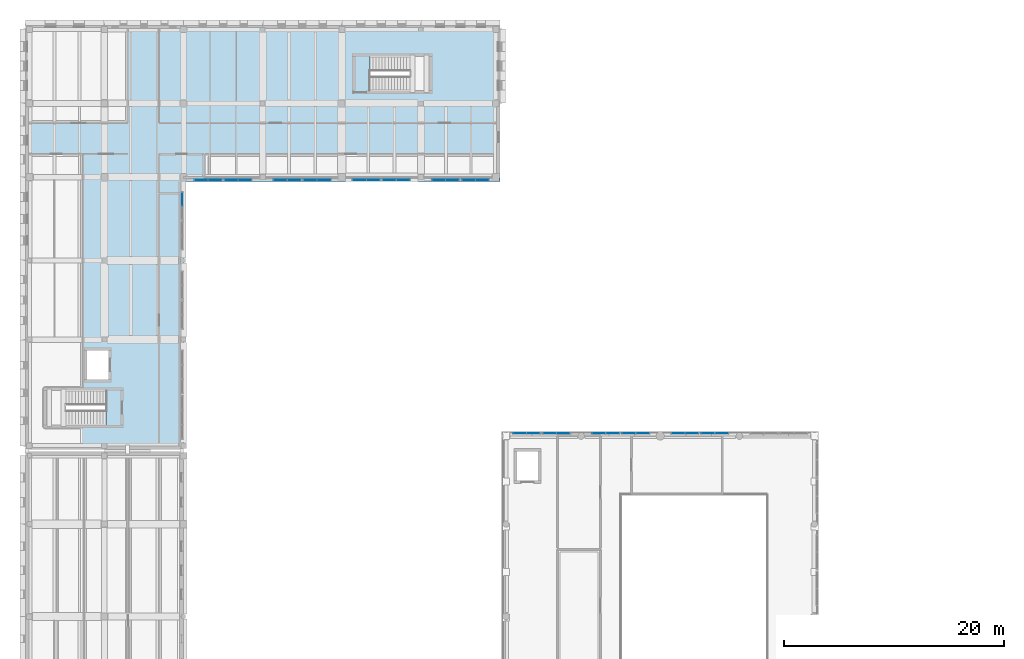
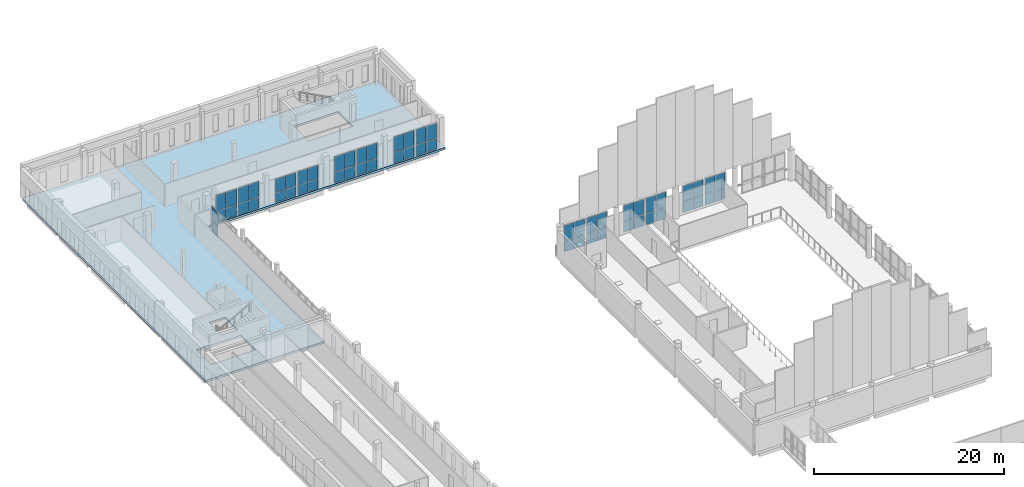
# One storey, part 42 of 76: 58 plates, 1 slab, 15 elements without a shape of their own.
"""IFC4 building model written with IfcOpenShell, lengths in metres."""

from ifc_helpers import new_model, si_unit, direction, frame, origin, origin_2d, place, context, subcontext, project, spatial, polyline, rectangle, outline, extrude, material, layer, layer_set, type_object, element, aggregate, save


model = new_model("IFC4")

# Units and contexts
model_context = context("Model", 3, precision=1e-05, world=origin(), true_north=direction((0.0, 1.0)))
body_context = subcontext(model_context, "Body", "Model", "MODEL_VIEW")
ifc_project = project(units=[si_unit("LENGTHUNIT", "METRE"), si_unit("AREAUNIT", "SQUARE_METRE"), si_unit("VOLUMEUNIT", "CUBIC_METRE"), si_unit("PLANEANGLEUNIT", "RADIAN"), si_unit("MASSUNIT", "GRAM", prefix="KILO")], contexts=[model_context])

# Site, building, storey
site_placement = place(None, origin())
site = spatial("IfcSite", under=ifc_project, at=site_placement, CompositionType="ELEMENT")
building_placement = place(site_placement, origin())
building = spatial("IfcBuilding", under=site, at=building_placement, Name="Vardoun Plaza Health Centre", CompositionType="ELEMENT")
storey_placement = place(building_placement, frame((0.0, 0.0, 4.5)))
storey = spatial("IfcBuildingStorey", under=building, at=storey_placement, Name="L01", CompositionType="ELEMENT", Elevation=4.5)

# Curtain wall, plates
ifc_material_1 = material(Name="Aluminium Alloy EN AW-6063-T6 and Low-E Glass", Category="aluminium")
ifc_layer_1 = layer(ifc_material_1, 0.159912109375)
ifc_layer_set_1 = layer_set([ifc_layer_1], Name="Aluminium Alloy EN AW-6063-T6 and Low-E Glass")
curtain_wall_type_1 = type_object("IfcCurtainWallType", Name="CW-02", PredefinedType="USERDEFINED", material=ifc_layer_set_1)
curtain_wall_1_placement = place(storey_placement, origin())
curtain_wall_1 = element("IfcCurtainWall", 1, at=curtain_wall_1_placement, inside=storey, type_object=curtain_wall_type_1, Name="Curtain Wall CW-V3-059", ObjectType="COURTYARD_CURTAIN_WALL", PredefinedType="USERDEFINED")
ifc_material_2 = material(Name="Solar-Control Double Low-E Glazing", Category="glass")
ifc_layer_2 = layer(ifc_material_2, 0.028076171875)
ifc_layer_set_2 = layer_set([ifc_layer_2], Name="Solar-Control Double Low-E Glazing")
plate_type_1 = type_object("IfcPlateType", Name="CW-P1", PredefinedType="CURTAIN_PANEL", material=ifc_layer_set_2)
plate_1_placement = place(storey_placement, frame((46.0849609375, 101.219970703125, 0.06005859375), z_axis=(0.0, 0.0, 1.0), x_axis=(-1.0, 0.0, 0.0)))
plate_1 = element("IfcPlate", 2, at=plate_1_placement, type_object=plate_type_1, Name="CW-V3-059 panel 1.1", PredefinedType="CURTAIN_PANEL", context=body_context, shape_type="SweptSolid", body=[
    extrude(rectangle(XDim=1.18994140625, YDim=0.028076171875, at=origin_2d()), origin(), (0.0, 0.0, 1.0), 1.3798828125),
])
plate_2_placement = place(storey_placement, frame((46.0849609375, 101.219970703125, 1.5), z_axis=(0.0, 0.0, 1.0), x_axis=(-1.0, 0.0, 0.0)))
plate_2 = element("IfcPlate", 3, at=plate_2_placement, type_object=plate_type_1, Name="CW-V3-059 panel 1.2", PredefinedType="CURTAIN_PANEL", context=body_context, shape_type="SweptSolid", body=[
    extrude(rectangle(XDim=1.18994140625, YDim=0.028076171875, at=origin_2d()), origin(), (0.0, 0.0, 1.0), 1.93994140625),
])
plate_3_placement = place(storey_placement, frame((44.8349609375, 101.219970703125, 0.06005859375), z_axis=(0.0, 0.0, 1.0), x_axis=(-1.0, 0.0, 0.0)))
plate_3 = element("IfcPlate", 4, at=plate_3_placement, type_object=plate_type_1, Name="CW-V3-059 panel 2.1", PredefinedType="CURTAIN_PANEL", context=body_context, shape_type="SweptSolid", body=[
    extrude(rectangle(XDim=1.18994140625, YDim=0.028076171875, at=origin_2d()), origin(), (0.0, 0.0, 1.0), 1.3798828125),
])
plate_4_placement = place(storey_placement, frame((44.8349609375, 101.219970703125, 1.5), z_axis=(0.0, 0.0, 1.0), x_axis=(-1.0, 0.0, 0.0)))
plate_4 = element("IfcPlate", 5, at=plate_4_placement, type_object=plate_type_1, Name="CW-V3-059 panel 2.2", PredefinedType="CURTAIN_PANEL", context=body_context, shape_type="SweptSolid", body=[
    extrude(rectangle(XDim=1.18994140625, YDim=0.028076171875, at=origin_2d()), origin(), (0.0, 0.0, 1.0), 1.93994140625),
])
aggregate(curtain_wall_1, [plate_1, plate_2, plate_3, plate_4])

curtain_wall_2_placement = place(storey_placement, origin())
curtain_wall_2 = element("IfcCurtainWall", 6, at=curtain_wall_2_placement, inside=storey, type_object=curtain_wall_type_1, Name="Curtain Wall CW-V3-060", ObjectType="COURTYARD_CURTAIN_WALL", PredefinedType="USERDEFINED")
plate_5_placement = place(storey_placement, frame((43.364990234375, 101.219970703125, 0.06005859375), z_axis=(0.0, 0.0, 1.0), x_axis=(-1.0, 0.0, 0.0)))
plate_5 = element("IfcPlate", 7, at=plate_5_placement, type_object=plate_type_1, Name="CW-V3-060 panel 1.1", PredefinedType="CURTAIN_PANEL", context=body_context, shape_type="SweptSolid", body=[
    extrude(rectangle(XDim=1.18994140625, YDim=0.028076171875, at=origin_2d()), origin(), (0.0, 0.0, 1.0), 1.3798828125),
])
plate_6_placement = place(storey_placement, frame((43.364990234375, 101.219970703125, 1.5), z_axis=(0.0, 0.0, 1.0), x_axis=(-1.0, 0.0, 0.0)))
plate_6 = element("IfcPlate", 8, at=plate_6_placement, type_object=plate_type_1, Name="CW-V3-060 panel 1.2", PredefinedType="CURTAIN_PANEL", context=body_context, shape_type="SweptSolid", body=[
    extrude(rectangle(XDim=1.18994140625, YDim=0.028076171875, at=origin_2d()), origin(), (0.0, 0.0, 1.0), 1.93994140625),
])
plate_7_placement = place(storey_placement, frame((42.114990234375, 101.219970703125, 0.06005859375), z_axis=(0.0, 0.0, 1.0), x_axis=(-1.0, 0.0, 0.0)))
plate_7 = element("IfcPlate", 9, at=plate_7_placement, type_object=plate_type_1, Name="CW-V3-060 panel 2.1", PredefinedType="CURTAIN_PANEL", context=body_context, shape_type="SweptSolid", body=[
    extrude(rectangle(XDim=1.18994140625, YDim=0.028076171875, at=origin_2d()), origin(), (0.0, 0.0, 1.0), 1.3798828125),
])
plate_8_placement = place(storey_placement, frame((42.114990234375, 101.219970703125, 1.5), z_axis=(0.0, 0.0, 1.0), x_axis=(-1.0, 0.0, 0.0)))
plate_8 = element("IfcPlate", 10, at=plate_8_placement, type_object=plate_type_1, Name="CW-V3-060 panel 2.2", PredefinedType="CURTAIN_PANEL", context=body_context, shape_type="SweptSolid", body=[
    extrude(rectangle(XDim=1.18994140625, YDim=0.028076171875, at=origin_2d()), origin(), (0.0, 0.0, 1.0), 1.93994140625),
])
aggregate(curtain_wall_2, [plate_5, plate_6, plate_7, plate_8])

curtain_wall_3_placement = place(storey_placement, origin())
curtain_wall_3 = element("IfcCurtainWall", 11, at=curtain_wall_3_placement, inside=storey, type_object=curtain_wall_type_1, Name="Curtain Wall CW-V3-061", ObjectType="COURTYARD_CURTAIN_WALL", PredefinedType="USERDEFINED")
plate_9_placement = place(storey_placement, frame((38.885009765625, 101.219970703125, 0.06005859375), z_axis=(0.0, 0.0, 1.0), x_axis=(-1.0, 0.0, 0.0)))
plate_9 = element("IfcPlate", 12, at=plate_9_placement, type_object=plate_type_1, Name="CW-V3-061 panel 1.1", PredefinedType="CURTAIN_PANEL", context=body_context, shape_type="SweptSolid", body=[
    extrude(rectangle(XDim=1.18994140625, YDim=0.028076171875, at=origin_2d()), origin(), (0.0, 0.0, 1.0), 1.367431640625),
])
plate_10_placement = place(storey_placement, frame((38.885009765625, 101.219970703125, 1.4873046875), z_axis=(0.0, 0.0, 1.0), x_axis=(-1.0, 0.0, 0.0)))
plate_10 = element("IfcPlate", 13, at=plate_10_placement, type_object=plate_type_1, Name="CW-V3-061 panel 1.2", PredefinedType="CURTAIN_PANEL", context=body_context, shape_type="SweptSolid", body=[
    extrude(rectangle(XDim=1.18994140625, YDim=0.028076171875, at=origin_2d()), origin(), (0.0, 0.0, 1.0), 1.922607421875),
])
plate_11_placement = place(storey_placement, frame((37.635009765625, 101.219970703125, 0.06005859375), z_axis=(0.0, 0.0, 1.0), x_axis=(-1.0, 0.0, 0.0)))
plate_11 = element("IfcPlate", 14, at=plate_11_placement, type_object=plate_type_1, Name="CW-V3-061 panel 2.1", PredefinedType="CURTAIN_PANEL", context=body_context, shape_type="SweptSolid", body=[
    extrude(rectangle(XDim=1.18994140625, YDim=0.028076171875, at=origin_2d()), origin(), (0.0, 0.0, 1.0), 1.367431640625),
])
plate_12_placement = place(storey_placement, frame((37.635009765625, 101.219970703125, 1.4873046875), z_axis=(0.0, 0.0, 1.0), x_axis=(-1.0, 0.0, 0.0)))
plate_12 = element("IfcPlate", 15, at=plate_12_placement, type_object=plate_type_1, Name="CW-V3-061 panel 2.2", PredefinedType="CURTAIN_PANEL", context=body_context, shape_type="SweptSolid", body=[
    extrude(rectangle(XDim=1.18994140625, YDim=0.028076171875, at=origin_2d()), origin(), (0.0, 0.0, 1.0), 1.922607421875),
])
aggregate(curtain_wall_3, [plate_9, plate_10, plate_11, plate_12])

curtain_wall_4_placement = place(storey_placement, origin())
curtain_wall_4 = element("IfcCurtainWall", 16, at=curtain_wall_4_placement, inside=storey, type_object=curtain_wall_type_1, Name="Curtain Wall CW-V3-062", ObjectType="COURTYARD_CURTAIN_WALL", PredefinedType="USERDEFINED")
plate_13_placement = place(storey_placement, frame((36.1650390625, 101.219970703125, 0.06005859375), z_axis=(0.0, 0.0, 1.0), x_axis=(-1.0, 0.0, 0.0)))
plate_13 = element("IfcPlate", 17, at=plate_13_placement, type_object=plate_type_1, Name="CW-V3-062 panel 1.1", PredefinedType="CURTAIN_PANEL", context=body_context, shape_type="SweptSolid", body=[
    extrude(rectangle(XDim=1.18994140625, YDim=0.028076171875, at=origin_2d()), origin(), (0.0, 0.0, 1.0), 1.367431640625),
])
plate_14_placement = place(storey_placement, frame((36.1650390625, 101.219970703125, 1.4873046875), z_axis=(0.0, 0.0, 1.0), x_axis=(-1.0, 0.0, 0.0)))
plate_14 = element("IfcPlate", 18, at=plate_14_placement, type_object=plate_type_1, Name="CW-V3-062 panel 1.2", PredefinedType="CURTAIN_PANEL", context=body_context, shape_type="SweptSolid", body=[
    extrude(rectangle(XDim=1.18994140625, YDim=0.028076171875, at=origin_2d()), origin(), (0.0, 0.0, 1.0), 1.922607421875),
])
plate_15_placement = place(storey_placement, frame((34.9150390625, 101.219970703125, 0.06005859375), z_axis=(0.0, 0.0, 1.0), x_axis=(-1.0, 0.0, 0.0)))
plate_15 = element("IfcPlate", 19, at=plate_15_placement, type_object=plate_type_1, Name="CW-V3-062 panel 2.1", PredefinedType="CURTAIN_PANEL", context=body_context, shape_type="SweptSolid", body=[
    extrude(rectangle(XDim=1.18994140625, YDim=0.028076171875, at=origin_2d()), origin(), (0.0, 0.0, 1.0), 1.367431640625),
])
plate_16_placement = place(storey_placement, frame((34.9150390625, 101.219970703125, 1.4873046875), z_axis=(0.0, 0.0, 1.0), x_axis=(-1.0, 0.0, 0.0)))
plate_16 = element("IfcPlate", 20, at=plate_16_placement, type_object=plate_type_1, Name="CW-V3-062 panel 2.2", PredefinedType="CURTAIN_PANEL", context=body_context, shape_type="SweptSolid", body=[
    extrude(rectangle(XDim=1.18994140625, YDim=0.028076171875, at=origin_2d()), origin(), (0.0, 0.0, 1.0), 1.922607421875),
])
aggregate(curtain_wall_4, [plate_13, plate_14, plate_15, plate_16])

curtain_wall_5_placement = place(storey_placement, origin())
curtain_wall_5 = element("IfcCurtainWall", 21, at=curtain_wall_5_placement, inside=storey, type_object=curtain_wall_type_1, Name="Curtain Wall CW-V3-063", ObjectType="COURTYARD_CURTAIN_WALL", PredefinedType="USERDEFINED")
plate_17_placement = place(storey_placement, frame((31.68505859375, 101.219970703125, 0.06005859375), z_axis=(0.0, 0.0, 1.0), x_axis=(-1.0, 0.0, 0.0)))
plate_17 = element("IfcPlate", 22, at=plate_17_placement, type_object=plate_type_1, Name="CW-V3-063 panel 1.1", PredefinedType="CURTAIN_PANEL", context=body_context, shape_type="SweptSolid", body=[
    extrude(rectangle(XDim=1.18994140625, YDim=0.028076171875, at=origin_2d()), origin(), (0.0, 0.0, 1.0), 1.220458984375),
])
plate_18_placement = place(storey_placement, frame((31.68505859375, 101.219970703125, 1.34033203125), z_axis=(0.0, 0.0, 1.0), x_axis=(-1.0, 0.0, 0.0)))
plate_18 = element("IfcPlate", 23, at=plate_18_placement, type_object=plate_type_1, Name="CW-V3-063 panel 1.2", PredefinedType="CURTAIN_PANEL", context=body_context, shape_type="SweptSolid", body=[
    extrude(rectangle(XDim=1.18994140625, YDim=0.028076171875, at=origin_2d()), origin(), (0.0, 0.0, 1.0), 1.719482421875),
])
plate_19_placement = place(storey_placement, frame((30.43505859375, 101.219970703125, 0.06005859375), z_axis=(0.0, 0.0, 1.0), x_axis=(-1.0, 0.0, 0.0)))
plate_19 = element("IfcPlate", 24, at=plate_19_placement, type_object=plate_type_1, Name="CW-V3-063 panel 2.1", PredefinedType="CURTAIN_PANEL", context=body_context, shape_type="SweptSolid", body=[
    extrude(rectangle(XDim=1.18994140625, YDim=0.028076171875, at=origin_2d()), origin(), (0.0, 0.0, 1.0), 1.220458984375),
])
plate_20_placement = place(storey_placement, frame((30.43505859375, 101.219970703125, 1.34033203125), z_axis=(0.0, 0.0, 1.0), x_axis=(-1.0, 0.0, 0.0)))
plate_20 = element("IfcPlate", 25, at=plate_20_placement, type_object=plate_type_1, Name="CW-V3-063 panel 2.2", PredefinedType="CURTAIN_PANEL", context=body_context, shape_type="SweptSolid", body=[
    extrude(rectangle(XDim=1.18994140625, YDim=0.028076171875, at=origin_2d()), origin(), (0.0, 0.0, 1.0), 1.719482421875),
])
aggregate(curtain_wall_5, [plate_17, plate_18, plate_19, plate_20])

curtain_wall_6_placement = place(storey_placement, origin())
curtain_wall_6 = element("IfcCurtainWall", 26, at=curtain_wall_6_placement, inside=storey, type_object=curtain_wall_type_1, Name="Curtain Wall CW-V3-064", ObjectType="COURTYARD_CURTAIN_WALL", PredefinedType="USERDEFINED")
plate_21_placement = place(storey_placement, frame((28.965087890625, 101.219970703125, 0.06005859375), z_axis=(0.0, 0.0, 1.0), x_axis=(-1.0, 0.0, 0.0)))
plate_21 = element("IfcPlate", 27, at=plate_21_placement, type_object=plate_type_1, Name="CW-V3-064 panel 1.1", PredefinedType="CURTAIN_PANEL", context=body_context, shape_type="SweptSolid", body=[
    extrude(rectangle(XDim=1.18994140625, YDim=0.028076171875, at=origin_2d()), origin(), (0.0, 0.0, 1.0), 1.220458984375),
])
plate_22_placement = place(storey_placement, frame((28.965087890625, 101.219970703125, 1.34033203125), z_axis=(0.0, 0.0, 1.0), x_axis=(-1.0, 0.0, 0.0)))
plate_22 = element("IfcPlate", 28, at=plate_22_placement, type_object=plate_type_1, Name="CW-V3-064 panel 1.2", PredefinedType="CURTAIN_PANEL", context=body_context, shape_type="SweptSolid", body=[
    extrude(rectangle(XDim=1.18994140625, YDim=0.028076171875, at=origin_2d()), origin(), (0.0, 0.0, 1.0), 1.719482421875),
])
plate_23_placement = place(storey_placement, frame((27.715087890625, 101.219970703125, 0.06005859375), z_axis=(0.0, 0.0, 1.0), x_axis=(-1.0, 0.0, 0.0)))
plate_23 = element("IfcPlate", 29, at=plate_23_placement, type_object=plate_type_1, Name="CW-V3-064 panel 2.1", PredefinedType="CURTAIN_PANEL", context=body_context, shape_type="SweptSolid", body=[
    extrude(rectangle(XDim=1.18994140625, YDim=0.028076171875, at=origin_2d()), origin(), (0.0, 0.0, 1.0), 1.220458984375),
])
plate_24_placement = place(storey_placement, frame((27.715087890625, 101.219970703125, 1.34033203125), z_axis=(0.0, 0.0, 1.0), x_axis=(-1.0, 0.0, 0.0)))
plate_24 = element("IfcPlate", 30, at=plate_24_placement, type_object=plate_type_1, Name="CW-V3-064 panel 2.2", PredefinedType="CURTAIN_PANEL", context=body_context, shape_type="SweptSolid", body=[
    extrude(rectangle(XDim=1.18994140625, YDim=0.028076171875, at=origin_2d()), origin(), (0.0, 0.0, 1.0), 1.719482421875),
])
aggregate(curtain_wall_6, [plate_21, plate_22, plate_23, plate_24])

curtain_wall_7_placement = place(storey_placement, origin())
curtain_wall_7 = element("IfcCurtainWall", 31, at=curtain_wall_7_placement, inside=storey, type_object=curtain_wall_type_1, Name="Curtain Wall CW-V3-065", ObjectType="COURTYARD_CURTAIN_WALL", PredefinedType="USERDEFINED")
plate_25_placement = place(storey_placement, frame((24.485107421875, 101.219970703125, 0.06005859375), z_axis=(0.0, 0.0, 1.0), x_axis=(-1.0, 0.0, 0.0)))
plate_25 = element("IfcPlate", 32, at=plate_25_placement, type_object=plate_type_1, Name="CW-V3-065 panel 1.1", PredefinedType="CURTAIN_PANEL", context=body_context, shape_type="SweptSolid", body=[
    extrude(rectangle(XDim=1.18994140625, YDim=0.028076171875, at=origin_2d()), origin(), (0.0, 0.0, 1.0), 1.396728515625),
])
plate_26_placement = place(storey_placement, frame((24.485107421875, 101.219970703125, 1.5166015625), z_axis=(0.0, 0.0, 1.0), x_axis=(-1.0, 0.0, 0.0)))
plate_26 = element("IfcPlate", 33, at=plate_26_placement, type_object=plate_type_1, Name="CW-V3-065 panel 1.2", PredefinedType="CURTAIN_PANEL", context=body_context, shape_type="SweptSolid", body=[
    extrude(rectangle(XDim=1.18994140625, YDim=0.028076171875, at=origin_2d()), origin(), (0.0, 0.0, 1.0), 1.963134765625),
])
plate_27_placement = place(storey_placement, frame((23.235107421875, 101.219970703125, 0.06005859375), z_axis=(0.0, 0.0, 1.0), x_axis=(-1.0, 0.0, 0.0)))
plate_27 = element("IfcPlate", 34, at=plate_27_placement, type_object=plate_type_1, Name="CW-V3-065 panel 2.1", PredefinedType="CURTAIN_PANEL", context=body_context, shape_type="SweptSolid", body=[
    extrude(rectangle(XDim=1.18994140625, YDim=0.028076171875, at=origin_2d()), origin(), (0.0, 0.0, 1.0), 1.396728515625),
])
plate_28_placement = place(storey_placement, frame((23.235107421875, 101.219970703125, 1.5166015625), z_axis=(0.0, 0.0, 1.0), x_axis=(-1.0, 0.0, 0.0)))
plate_28 = element("IfcPlate", 35, at=plate_28_placement, type_object=plate_type_1, Name="CW-V3-065 panel 2.2", PredefinedType="CURTAIN_PANEL", context=body_context, shape_type="SweptSolid", body=[
    extrude(rectangle(XDim=1.18994140625, YDim=0.028076171875, at=origin_2d()), origin(), (0.0, 0.0, 1.0), 1.963134765625),
])
aggregate(curtain_wall_7, [plate_25, plate_26, plate_27, plate_28])

curtain_wall_8_placement = place(storey_placement, origin())
curtain_wall_8 = element("IfcCurtainWall", 36, at=curtain_wall_8_placement, inside=storey, type_object=curtain_wall_type_1, Name="Curtain Wall CW-V3-066", ObjectType="COURTYARD_CURTAIN_WALL", PredefinedType="USERDEFINED")
plate_29_placement = place(storey_placement, frame((21.764892578125, 101.219970703125, 0.06005859375), z_axis=(0.0, 0.0, 1.0), x_axis=(-1.0, 0.0, 0.0)))
plate_29 = element("IfcPlate", 37, at=plate_29_placement, type_object=plate_type_1, Name="CW-V3-066 panel 1.1", PredefinedType="CURTAIN_PANEL", context=body_context, shape_type="SweptSolid", body=[
    extrude(rectangle(XDim=1.18994140625, YDim=0.028076171875, at=origin_2d()), origin(), (0.0, 0.0, 1.0), 1.396728515625),
])
plate_30_placement = place(storey_placement, frame((21.764892578125, 101.219970703125, 1.5166015625), z_axis=(0.0, 0.0, 1.0), x_axis=(-1.0, 0.0, 0.0)))
plate_30 = element("IfcPlate", 38, at=plate_30_placement, type_object=plate_type_1, Name="CW-V3-066 panel 1.2", PredefinedType="CURTAIN_PANEL", context=body_context, shape_type="SweptSolid", body=[
    extrude(rectangle(XDim=1.18994140625, YDim=0.028076171875, at=origin_2d()), origin(), (0.0, 0.0, 1.0), 1.963134765625),
])
plate_31_placement = place(storey_placement, frame((20.514892578125, 101.219970703125, 0.06005859375), z_axis=(0.0, 0.0, 1.0), x_axis=(-1.0, 0.0, 0.0)))
plate_31 = element("IfcPlate", 39, at=plate_31_placement, type_object=plate_type_1, Name="CW-V3-066 panel 2.1", PredefinedType="CURTAIN_PANEL", context=body_context, shape_type="SweptSolid", body=[
    extrude(rectangle(XDim=1.18994140625, YDim=0.028076171875, at=origin_2d()), origin(), (0.0, 0.0, 1.0), 1.396728515625),
])
plate_32_placement = place(storey_placement, frame((20.514892578125, 101.219970703125, 1.5166015625), z_axis=(0.0, 0.0, 1.0), x_axis=(-1.0, 0.0, 0.0)))
plate_32 = element("IfcPlate", 40, at=plate_32_placement, type_object=plate_type_1, Name="CW-V3-066 panel 2.2", PredefinedType="CURTAIN_PANEL", context=body_context, shape_type="SweptSolid", body=[
    extrude(rectangle(XDim=1.18994140625, YDim=0.028076171875, at=origin_2d()), origin(), (0.0, 0.0, 1.0), 1.963134765625),
])
aggregate(curtain_wall_8, [plate_29, plate_30, plate_31, plate_32])

curtain_wall_9_placement = place(storey_placement, origin())
curtain_wall_9 = element("IfcCurtainWall", 41, at=curtain_wall_9_placement, inside=storey, type_object=curtain_wall_type_1, Name="Curtain Wall CW-V3-067", ObjectType="COURTYARD_CURTAIN_WALL", PredefinedType="USERDEFINED")
plate_33_placement = place(storey_placement, frame((18.780029296875, 99.485107421875, 0.06005859375), z_axis=(0.0, 0.0, 1.0), x_axis=(0.0, -1.0, 0.0)))
plate_33 = element("IfcPlate", 42, at=plate_33_placement, type_object=plate_type_1, Name="CW-V3-067 panel 1.1", PredefinedType="CURTAIN_PANEL", context=body_context, shape_type="SweptSolid", body=[
    extrude(rectangle(XDim=1.18994140625, YDim=0.028076171875, at=origin_2d()), origin(), (0.0, 0.0, 1.0), 1.283447265625),
])
plate_34_placement = place(storey_placement, frame((18.780029296875, 99.485107421875, 1.4033203125), z_axis=(0.0, 0.0, 1.0), x_axis=(0.0, -1.0, 0.0)))
plate_34 = element("IfcPlate", 43, at=plate_34_placement, type_object=plate_type_1, Name="CW-V3-067 panel 1.2", PredefinedType="CURTAIN_PANEL", context=body_context, shape_type="SweptSolid", body=[
    extrude(rectangle(XDim=1.18994140625, YDim=0.028076171875, at=origin_2d()), origin(), (0.0, 0.0, 1.0), 1.806640625),
])
aggregate(curtain_wall_9, [plate_33, plate_34])

ifc_material_3 = material(Name="Aluminium Alloy EN AW-6063-T6 and Low-E Glass", Category="aluminium")
ifc_layer_3 = layer(ifc_material_3, 0.179931640625)
ifc_layer_set_3 = layer_set([ifc_layer_3], Name="Aluminium Alloy EN AW-6063-T6 and Low-E Glass")
curtain_wall_type_2 = type_object("IfcCurtainWallType", Name="CW-01", PredefinedType="USERDEFINED", material=ifc_layer_set_3)
curtain_wall_10_placement = place(storey_placement, origin())
curtain_wall_10 = element("IfcCurtainWall", 44, at=curtain_wall_10_placement, inside=storey, type_object=curtain_wall_type_2, Name="Curtain Wall CW-V1-015", ObjectType="CONCOURSE_CURTAIN_WALL", PredefinedType="USERDEFINED")
ifc_material_4 = material(Name="Acoustic Laminated Double Low-E Glazing", Category="glass")
ifc_layer_4 = layer(ifc_material_4, 0.031982421875)
ifc_layer_set_4 = layer_set([ifc_layer_4], Name="Acoustic Laminated Double Low-E Glazing")
plate_type_2 = type_object("IfcPlateType", Name="CW-P2", PredefinedType="CURTAIN_PANEL", material=ifc_layer_set_4)
plate_35_placement = place(storey_placement, frame((49.496337890625, 78.179931640625, 0.06494140625), z_axis=(0.0, 0.0, 1.0), x_axis=(1.0, 0.0, 0.0)))
plate_35 = element("IfcPlate", 45, at=plate_35_placement, type_object=plate_type_2, Name="CW-V1-015 panel 1.1", PredefinedType="CURTAIN_PANEL", context=body_context, shape_type="SweptSolid", body=[
    extrude(rectangle(XDim=1.1826171875, YDim=0.031982421875, at=origin_2d()), origin(), (0.0, 0.0, 1.0), 1.38720703125),
])
plate_36_placement = place(storey_placement, frame((49.496337890625, 78.179931640625, 1.51708984375), z_axis=(0.0, 0.0, 1.0), x_axis=(1.0, 0.0, 0.0)))
plate_36 = element("IfcPlate", 46, at=plate_36_placement, type_object=plate_type_2, Name="CW-V1-015 panel 1.2", PredefinedType="CURTAIN_PANEL", context=body_context, shape_type="SweptSolid", body=[
    extrude(rectangle(XDim=1.1826171875, YDim=0.031982421875, at=origin_2d()), origin(), (0.0, 0.0, 1.0), 1.952880859375),
])
plate_37_placement = place(storey_placement, frame((50.74365234375, 78.179931640625, 0.06494140625), z_axis=(0.0, 0.0, 1.0), x_axis=(1.0, 0.0, 0.0)))
plate_37 = element("IfcPlate", 47, at=plate_37_placement, type_object=plate_type_2, Name="CW-V1-015 panel 2.1", PredefinedType="CURTAIN_PANEL", context=body_context, shape_type="SweptSolid", body=[
    extrude(rectangle(XDim=1.1826171875, YDim=0.031982421875, at=origin_2d()), origin(), (0.0, 0.0, 1.0), 1.38720703125),
])
plate_38_placement = place(storey_placement, frame((50.74365234375, 78.179931640625, 1.51708984375), z_axis=(0.0, 0.0, 1.0), x_axis=(1.0, 0.0, 0.0)))
plate_38 = element("IfcPlate", 48, at=plate_38_placement, type_object=plate_type_2, Name="CW-V1-015 panel 2.2", PredefinedType="CURTAIN_PANEL", context=body_context, shape_type="SweptSolid", body=[
    extrude(rectangle(XDim=1.1826171875, YDim=0.031982421875, at=origin_2d()), origin(), (0.0, 0.0, 1.0), 1.952880859375),
])
aggregate(curtain_wall_10, [plate_35, plate_36, plate_37, plate_38])

curtain_wall_11_placement = place(storey_placement, origin())
curtain_wall_11 = element("IfcCurtainWall", 49, at=curtain_wall_11_placement, inside=storey, type_object=curtain_wall_type_2, Name="Curtain Wall CW-V1-016", ObjectType="CONCOURSE_CURTAIN_WALL", PredefinedType="USERDEFINED")
plate_39_placement = place(storey_placement, frame((52.21630859375, 78.179931640625, 0.06494140625), z_axis=(0.0, 0.0, 1.0), x_axis=(1.0, 0.0, 0.0)))
plate_39 = element("IfcPlate", 50, at=plate_39_placement, type_object=plate_type_2, Name="CW-V1-016 panel 1.1", PredefinedType="CURTAIN_PANEL", context=body_context, shape_type="SweptSolid", body=[
    extrude(rectangle(XDim=1.1826171875, YDim=0.031982421875, at=origin_2d()), origin(), (0.0, 0.0, 1.0), 1.38720703125),
])
plate_40_placement = place(storey_placement, frame((52.21630859375, 78.179931640625, 1.51708984375), z_axis=(0.0, 0.0, 1.0), x_axis=(1.0, 0.0, 0.0)))
plate_40 = element("IfcPlate", 51, at=plate_40_placement, type_object=plate_type_2, Name="CW-V1-016 panel 1.2", PredefinedType="CURTAIN_PANEL", context=body_context, shape_type="SweptSolid", body=[
    extrude(rectangle(XDim=1.1826171875, YDim=0.031982421875, at=origin_2d()), origin(), (0.0, 0.0, 1.0), 1.952880859375),
])
plate_41_placement = place(storey_placement, frame((53.4638671875, 78.179931640625, 0.06494140625), z_axis=(0.0, 0.0, 1.0), x_axis=(1.0, 0.0, 0.0)))
plate_41 = element("IfcPlate", 52, at=plate_41_placement, type_object=plate_type_2, Name="CW-V1-016 panel 2.1", PredefinedType="CURTAIN_PANEL", context=body_context, shape_type="SweptSolid", body=[
    extrude(rectangle(XDim=1.1826171875, YDim=0.031982421875, at=origin_2d()), origin(), (0.0, 0.0, 1.0), 1.38720703125),
])
plate_42_placement = place(storey_placement, frame((53.4638671875, 78.179931640625, 1.51708984375), z_axis=(0.0, 0.0, 1.0), x_axis=(1.0, 0.0, 0.0)))
plate_42 = element("IfcPlate", 53, at=plate_42_placement, type_object=plate_type_2, Name="CW-V1-016 panel 2.2", PredefinedType="CURTAIN_PANEL", context=body_context, shape_type="SweptSolid", body=[
    extrude(rectangle(XDim=1.1826171875, YDim=0.031982421875, at=origin_2d()), origin(), (0.0, 0.0, 1.0), 1.952880859375),
])
aggregate(curtain_wall_11, [plate_39, plate_40, plate_41, plate_42])

curtain_wall_12_placement = place(storey_placement, origin())
curtain_wall_12 = element("IfcCurtainWall", 54, at=curtain_wall_12_placement, inside=storey, type_object=curtain_wall_type_2, Name="Curtain Wall CW-V1-017", ObjectType="CONCOURSE_CURTAIN_WALL", PredefinedType="USERDEFINED")
plate_43_placement = place(storey_placement, frame((56.6962890625, 78.179931640625, 0.06494140625), z_axis=(0.0, 0.0, 1.0), x_axis=(1.0, 0.0, 0.0)))
plate_43 = element("IfcPlate", 55, at=plate_43_placement, type_object=plate_type_2, Name="CW-V1-017 panel 1.1", PredefinedType="CURTAIN_PANEL", context=body_context, shape_type="SweptSolid", body=[
    extrude(rectangle(XDim=1.1826171875, YDim=0.031982421875, at=origin_2d()), origin(), (0.0, 0.0, 1.0), 1.38720703125),
])
plate_44_placement = place(storey_placement, frame((56.6962890625, 78.179931640625, 1.51708984375), z_axis=(0.0, 0.0, 1.0), x_axis=(1.0, 0.0, 0.0)))
plate_44 = element("IfcPlate", 56, at=plate_44_placement, type_object=plate_type_2, Name="CW-V1-017 panel 1.2", PredefinedType="CURTAIN_PANEL", context=body_context, shape_type="SweptSolid", body=[
    extrude(rectangle(XDim=1.1826171875, YDim=0.031982421875, at=origin_2d()), origin(), (0.0, 0.0, 1.0), 1.952880859375),
])
plate_45_placement = place(storey_placement, frame((57.94384765625, 78.179931640625, 0.06494140625), z_axis=(0.0, 0.0, 1.0), x_axis=(1.0, 0.0, 0.0)))
plate_45 = element("IfcPlate", 57, at=plate_45_placement, type_object=plate_type_2, Name="CW-V1-017 panel 2.1", PredefinedType="CURTAIN_PANEL", context=body_context, shape_type="SweptSolid", body=[
    extrude(rectangle(XDim=1.1826171875, YDim=0.031982421875, at=origin_2d()), origin(), (0.0, 0.0, 1.0), 1.38720703125),
])
plate_46_placement = place(storey_placement, frame((57.94384765625, 78.179931640625, 1.51708984375), z_axis=(0.0, 0.0, 1.0), x_axis=(1.0, 0.0, 0.0)))
plate_46 = element("IfcPlate", 58, at=plate_46_placement, type_object=plate_type_2, Name="CW-V1-017 panel 2.2", PredefinedType="CURTAIN_PANEL", context=body_context, shape_type="SweptSolid", body=[
    extrude(rectangle(XDim=1.1826171875, YDim=0.031982421875, at=origin_2d()), origin(), (0.0, 0.0, 1.0), 1.952880859375),
])
aggregate(curtain_wall_12, [plate_43, plate_44, plate_45, plate_46])

curtain_wall_13_placement = place(storey_placement, origin())
curtain_wall_13 = element("IfcCurtainWall", 59, at=curtain_wall_13_placement, inside=storey, type_object=curtain_wall_type_2, Name="Curtain Wall CW-V1-018", ObjectType="CONCOURSE_CURTAIN_WALL", PredefinedType="USERDEFINED")
plate_47_placement = place(storey_placement, frame((59.416259765625, 78.179931640625, 0.06494140625), z_axis=(0.0, 0.0, 1.0), x_axis=(1.0, 0.0, 0.0)))
plate_47 = element("IfcPlate", 60, at=plate_47_placement, type_object=plate_type_2, Name="CW-V1-018 panel 1.1", PredefinedType="CURTAIN_PANEL", context=body_context, shape_type="SweptSolid", body=[
    extrude(rectangle(XDim=1.1826171875, YDim=0.031982421875, at=origin_2d()), origin(), (0.0, 0.0, 1.0), 1.38720703125),
])
plate_48_placement = place(storey_placement, frame((59.416259765625, 78.179931640625, 1.51708984375), z_axis=(0.0, 0.0, 1.0), x_axis=(1.0, 0.0, 0.0)))
plate_48 = element("IfcPlate", 61, at=plate_48_placement, type_object=plate_type_2, Name="CW-V1-018 panel 1.2", PredefinedType="CURTAIN_PANEL", context=body_context, shape_type="SweptSolid", body=[
    extrude(rectangle(XDim=1.1826171875, YDim=0.031982421875, at=origin_2d()), origin(), (0.0, 0.0, 1.0), 1.952880859375),
])
plate_49_placement = place(storey_placement, frame((60.663818359375, 78.179931640625, 0.06494140625), z_axis=(0.0, 0.0, 1.0), x_axis=(1.0, 0.0, 0.0)))
plate_49 = element("IfcPlate", 62, at=plate_49_placement, type_object=plate_type_2, Name="CW-V1-018 panel 2.1", PredefinedType="CURTAIN_PANEL", context=body_context, shape_type="SweptSolid", body=[
    extrude(rectangle(XDim=1.1826171875, YDim=0.031982421875, at=origin_2d()), origin(), (0.0, 0.0, 1.0), 1.38720703125),
])
plate_50_placement = place(storey_placement, frame((60.663818359375, 78.179931640625, 1.51708984375), z_axis=(0.0, 0.0, 1.0), x_axis=(1.0, 0.0, 0.0)))
plate_50 = element("IfcPlate", 63, at=plate_50_placement, type_object=plate_type_2, Name="CW-V1-018 panel 2.2", PredefinedType="CURTAIN_PANEL", context=body_context, shape_type="SweptSolid", body=[
    extrude(rectangle(XDim=1.1826171875, YDim=0.031982421875, at=origin_2d()), origin(), (0.0, 0.0, 1.0), 1.952880859375),
])
aggregate(curtain_wall_13, [plate_47, plate_48, plate_49, plate_50])

curtain_wall_14_placement = place(storey_placement, origin())
curtain_wall_14 = element("IfcCurtainWall", 64, at=curtain_wall_14_placement, inside=storey, type_object=curtain_wall_type_2, Name="Curtain Wall CW-V1-019", ObjectType="CONCOURSE_CURTAIN_WALL", PredefinedType="USERDEFINED")
plate_51_placement = place(storey_placement, frame((63.896240234375, 78.179931640625, 0.06494140625), z_axis=(0.0, 0.0, 1.0), x_axis=(1.0, 0.0, 0.0)))
plate_51 = element("IfcPlate", 65, at=plate_51_placement, type_object=plate_type_2, Name="CW-V1-019 panel 1.1", PredefinedType="CURTAIN_PANEL", context=body_context, shape_type="SweptSolid", body=[
    extrude(rectangle(XDim=1.1826171875, YDim=0.031982421875, at=origin_2d()), origin(), (0.0, 0.0, 1.0), 1.38720703125),
])
plate_52_placement = place(storey_placement, frame((63.896240234375, 78.179931640625, 1.51708984375), z_axis=(0.0, 0.0, 1.0), x_axis=(1.0, 0.0, 0.0)))
plate_52 = element("IfcPlate", 66, at=plate_52_placement, type_object=plate_type_2, Name="CW-V1-019 panel 1.2", PredefinedType="CURTAIN_PANEL", context=body_context, shape_type="SweptSolid", body=[
    extrude(rectangle(XDim=1.1826171875, YDim=0.031982421875, at=origin_2d()), origin(), (0.0, 0.0, 1.0), 1.952880859375),
])
plate_53_placement = place(storey_placement, frame((65.143798828125, 78.179931640625, 0.06494140625), z_axis=(0.0, 0.0, 1.0), x_axis=(1.0, 0.0, 0.0)))
plate_53 = element("IfcPlate", 67, at=plate_53_placement, type_object=plate_type_2, Name="CW-V1-019 panel 2.1", PredefinedType="CURTAIN_PANEL", context=body_context, shape_type="SweptSolid", body=[
    extrude(rectangle(XDim=1.1826171875, YDim=0.031982421875, at=origin_2d()), origin(), (0.0, 0.0, 1.0), 1.38720703125),
])
plate_54_placement = place(storey_placement, frame((65.143798828125, 78.179931640625, 1.51708984375), z_axis=(0.0, 0.0, 1.0), x_axis=(1.0, 0.0, 0.0)))
plate_54 = element("IfcPlate", 68, at=plate_54_placement, type_object=plate_type_2, Name="CW-V1-019 panel 2.2", PredefinedType="CURTAIN_PANEL", context=body_context, shape_type="SweptSolid", body=[
    extrude(rectangle(XDim=1.1826171875, YDim=0.031982421875, at=origin_2d()), origin(), (0.0, 0.0, 1.0), 1.952880859375),
])
aggregate(curtain_wall_14, [plate_51, plate_52, plate_53, plate_54])

curtain_wall_15_placement = place(storey_placement, origin())
curtain_wall_15 = element("IfcCurtainWall", 69, at=curtain_wall_15_placement, inside=storey, type_object=curtain_wall_type_2, Name="Curtain Wall CW-V1-020", ObjectType="CONCOURSE_CURTAIN_WALL", PredefinedType="USERDEFINED")
plate_55_placement = place(storey_placement, frame((66.6162109375, 78.179931640625, 0.06494140625), z_axis=(0.0, 0.0, 1.0), x_axis=(1.0, 0.0, 0.0)))
plate_55 = element("IfcPlate", 70, at=plate_55_placement, type_object=plate_type_2, Name="CW-V1-020 panel 1.1", PredefinedType="CURTAIN_PANEL", context=body_context, shape_type="SweptSolid", body=[
    extrude(rectangle(XDim=1.1826171875, YDim=0.031982421875, at=origin_2d()), origin(), (0.0, 0.0, 1.0), 1.38720703125),
])
plate_56_placement = place(storey_placement, frame((66.6162109375, 78.179931640625, 1.51708984375), z_axis=(0.0, 0.0, 1.0), x_axis=(1.0, 0.0, 0.0)))
plate_56 = element("IfcPlate", 71, at=plate_56_placement, type_object=plate_type_2, Name="CW-V1-020 panel 1.2", PredefinedType="CURTAIN_PANEL", context=body_context, shape_type="SweptSolid", body=[
    extrude(rectangle(XDim=1.1826171875, YDim=0.031982421875, at=origin_2d()), origin(), (0.0, 0.0, 1.0), 1.952880859375),
])
plate_57_placement = place(storey_placement, frame((67.86376953125, 78.179931640625, 0.06494140625), z_axis=(0.0, 0.0, 1.0), x_axis=(1.0, 0.0, 0.0)))
plate_57 = element("IfcPlate", 72, at=plate_57_placement, type_object=plate_type_2, Name="CW-V1-020 panel 2.1", PredefinedType="CURTAIN_PANEL", context=body_context, shape_type="SweptSolid", body=[
    extrude(rectangle(XDim=1.1826171875, YDim=0.031982421875, at=origin_2d()), origin(), (0.0, 0.0, 1.0), 1.38720703125),
])
plate_58_placement = place(storey_placement, frame((67.86376953125, 78.179931640625, 1.51708984375), z_axis=(0.0, 0.0, 1.0), x_axis=(1.0, 0.0, 0.0)))
plate_58 = element("IfcPlate", 73, at=plate_58_placement, type_object=plate_type_2, Name="CW-V1-020 panel 2.2", PredefinedType="CURTAIN_PANEL", context=body_context, shape_type="SweptSolid", body=[
    extrude(rectangle(XDim=1.1826171875, YDim=0.031982421875, at=origin_2d()), origin(), (0.0, 0.0, 1.0), 1.952880859375),
])
aggregate(curtain_wall_15, [plate_55, plate_56, plate_57, plate_58])

# Slab
ifc_material_5 = material(Name="Concrete C35/45", Category="concrete")
ifc_layer_5 = layer(ifc_material_5, 0.264892578125)
ifc_layer_set_5 = layer_set([ifc_layer_5], Name="Concrete C35/45")
slab_type = type_object("IfcSlabType", Name="SL-02", PredefinedType="FLOOR", material=ifc_layer_set_5)
slab_placement = place(storey_placement, frame((0.0, 0.0, -0.264892578125)))
element("IfcSlab", 74, at=slab_placement, inside=storey, type_object=slab_type, Name="V3 L01 Structural Slab", PredefinedType="FLOOR", context=body_context, shape_type="SweptSolid", body=[
    extrude(outline(polyline([(4.5, 76.679931640625), (18.89990234375, 76.679931640625), (18.89990234375, 101.10009765625), (47.699951171875, 101.10009765625), (47.699951171875, 115.300048828125), (4.5, 115.300048828125), (4.5, 76.679931640625)]), holes=[polyline([(6.449951171875, 78.949951171875), (11.849365234375, 78.949951171875), (11.849365234375, 82.050048828125), (6.449951171875, 82.050048828125), (6.449951171875, 78.949951171875)]), polyline([(10.1201171875, 83.070068359375), (12.080078125, 83.070068359375), (12.080078125, 85.72998046875), (10.1201171875, 85.72998046875), (10.1201171875, 83.070068359375)]), polyline([(35.8505859375, 109.35009765625), (41.25, 109.35009765625), (41.25, 112.449951171875), (35.8505859375, 112.449951171875), (35.8505859375, 109.35009765625)])]), origin(), (0.0, 0.0, 1.0), 0.264892578125),
])

save(model, "model.ifc")
